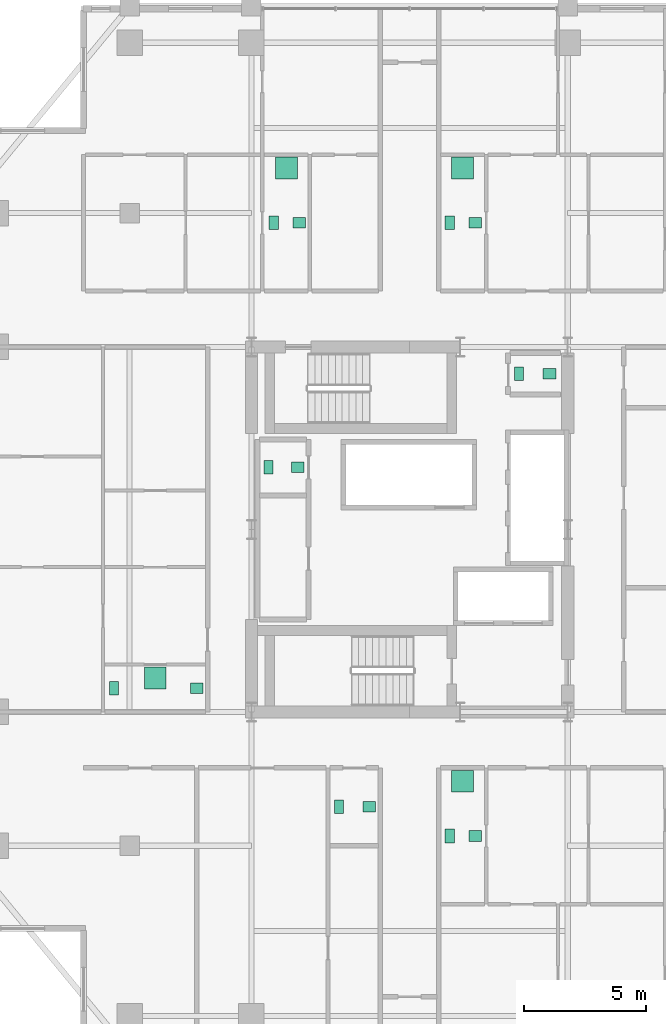
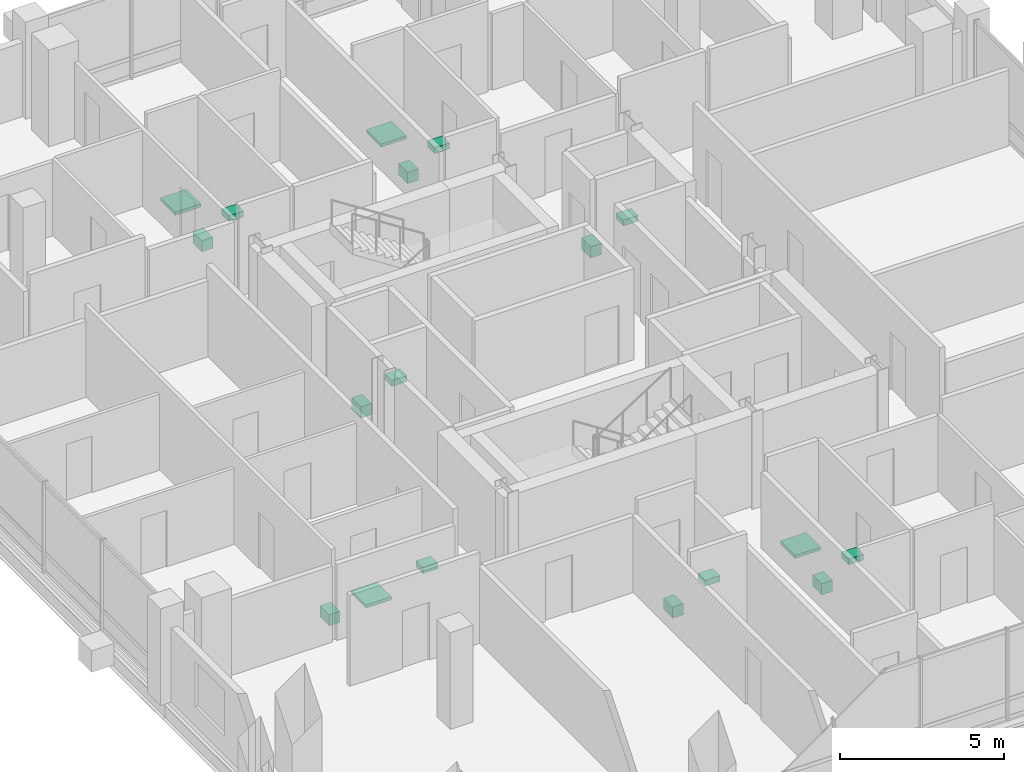
# One storey, part 24 of 24: 18 sanitary terminals.
"""IFC4 building model written with IfcOpenShell, lengths in metres."""

from ifc_helpers import new_model, si_unit, direction, frame, origin, origin_2d, place, context, subcontext, project, spatial, rectangle, extrude, material, type_object, element, save


model = new_model("IFC4")

# Units and contexts
model_context = context("Model", 3, precision=1e-05, world=origin(), true_north=direction((0.0, 1.0)))
body_context = subcontext(model_context, "Body", "Model", "MODEL_VIEW")
ifc_project = project(units=[si_unit("LENGTHUNIT", "METRE"), si_unit("AREAUNIT", "SQUARE_METRE"), si_unit("VOLUMEUNIT", "CUBIC_METRE"), si_unit("PLANEANGLEUNIT", "RADIAN"), si_unit("MASSUNIT", "GRAM", prefix="KILO")], contexts=[model_context])

# Site, building, storey
site_placement = place(None, origin())
site = spatial("IfcSite", under=ifc_project, at=site_placement, CompositionType="ELEMENT")
building_placement = place(site_placement, origin())
building = spatial("IfcBuilding", under=site, at=building_placement, Name="Barlavira Tower and Art Museum", CompositionType="ELEMENT")
storey_placement = place(building_placement, frame((0.0, 0.0, 190.800048828125)))
storey = spatial("IfcBuildingStorey", under=building, at=storey_placement, Name="L49", CompositionType="ELEMENT", Elevation=190.800048828125)

# Sanitary terminals
ifc_material = material(Name="Vitreous glazed ceramic", Category="ceramic")
sanitary_terminal_type_1 = type_object("IfcSanitaryTerminalType", Name="Countertop Ceramic Wash Hand Basin", PredefinedType="WASHHANDBASIN", material=ifc_material)
for number, where, z_axis, x_axis, name in (
    (1, (-4.60009765625, 2.550048828125, 0.73974609375), (0.0, 0.0, 1.0), (1.0, 0.0, 0.0), "L49-C-REC1W Wash Basin"),
    (2, (5.75, 6.39990234375, 0.73974609375), (0.0, 0.0, 1.0), (1.0, 0.0, 0.0), "L49-C-AWC4 Wash Basin"),
    (3, (-1.64990234375, -11.39990234375, 0.73974609375), (0.0, 0.0, 1.0), (1.0, 0.0, 0.0), "L49-SW-SWC Wash Basin"),
    (4, (2.699951171875, -12.60009765625, 0.73974609375), (0.0, 0.0, 1.0), (1.0, 0.0, 0.0), "L49-SE1-BTH1 Wash Basin"),
    (5, (-4.530029296875, 12.60009765625, 0.73974609375), (0.0, 0.0, 1.0), (1.0, 0.0, 0.0), "L49-NW1-BTH1 Wash Basin"),
    (6, (2.699951171875, 12.60009765625, 0.73974609375), (0.0, 0.0, 1.0), (1.0, 0.0, 0.0), "L49-NE1-BTH1 Wash Basin"),
    (7, (-8.75, -6.52490234375, 0.73974609375), (0.0, 0.0, 1.0), (1.0, 0.0, 0.0), "L49-W1-BTH1 Wash Basin"),
):
    element("IfcSanitaryTerminal", number, at=place(storey_placement, frame(where, z_axis=z_axis, x_axis=x_axis)), inside=storey, type_object=sanitary_terminal_type_1, Name=name, PredefinedType="WASHHANDBASIN", context=body_context, shape_type="SweptSolid", body=[
        extrude(rectangle(XDim=0.52001953125, YDim=0.43994140625, at=origin_2d()), origin(), (0.0, 0.0, 1.0), 0.219970703125),
    ])
sanitary_terminal_type_2 = type_object("IfcSanitaryTerminalType", Name="Walk-In Thermostatic Rain Shower Unit", PredefinedType="SHOWER", material=ifc_material)
for number, where, z_axis, x_axis, name in (
    (8, (2.175048828125, -10.35009765625, 0.0), (0.0, 0.0, 1.0), (1.0, 0.0, 0.0), "L49-SE1-BTH1 Rain Shower"),
    (9, (-5.054931640625, 14.85009765625, 0.0), (0.0, 0.0, 1.0), (1.0, 0.0, 0.0), "L49-NW1-BTH1 Rain Shower"),
    (10, (2.175048828125, 14.85009765625, 0.0), (0.0, 0.0, 1.0), (1.0, 0.0, 0.0), "L49-NE1-BTH1 Rain Shower"),
    (11, (-10.449951171875, -6.10009765625, 0.0), (0.0, 0.0, 1.0), (1.0, 0.0, 0.0), "L49-W1-BTH1 Rain Shower"),
):
    element("IfcSanitaryTerminal", number, at=place(storey_placement, frame(where, z_axis=z_axis, x_axis=x_axis)), inside=storey, type_object=sanitary_terminal_type_2, Name=name, PredefinedType="SHOWER", context=body_context, shape_type="SweptSolid", body=[
        extrude(rectangle(XDim=0.89990234375, YDim=0.89990234375, at=origin_2d()), origin(), (0.0, 0.0, 1.0), 0.1201171875),
    ])
sanitary_terminal_type_3 = type_object("IfcSanitaryTerminalType", Name="Wall-Hung Dual-Flush Vitreous WC Pan", PredefinedType="TOILETPAN", material=ifc_material)
for number, where, z_axis, x_axis, name in (
    (12, (-5.800048828125, 2.550048828125, 0.0), (0.0, 0.0, 1.0), (1.0, 0.0, 0.0), "L49-C-REC1W WC Pan"),
    (13, (4.5, 6.39990234375, 0.0), (0.0, 0.0, 1.0), (1.0, 0.0, 0.0), "L49-C-AWC4 WC Pan"),
    (14, (-2.89990234375, -11.39990234375, 0.0), (0.0, 0.0, 1.0), (1.0, 0.0, 0.0), "L49-SW-SWC WC Pan"),
    (15, (1.64990234375, -12.60009765625, 0.0), (0.0, 0.0, 1.0), (1.0, 0.0, 0.0), "L49-SE1-BTH1 WC Pan"),
    (16, (-5.580078125, 12.60009765625, 0.0), (0.0, 0.0, 1.0), (1.0, 0.0, 0.0), "L49-NW1-BTH1 WC Pan"),
    (17, (1.64990234375, 12.60009765625, 0.0), (0.0, 0.0, 1.0), (1.0, 0.0, 0.0), "L49-NE1-BTH1 WC Pan"),
    (18, (-12.14990234375, -6.52490234375, 0.0), (0.0, 0.0, 1.0), (1.0, 0.0, 0.0), "L49-W1-BTH1 WC Pan"),
):
    element("IfcSanitaryTerminal", number, at=place(storey_placement, frame(where, z_axis=z_axis, x_axis=x_axis)), inside=storey, type_object=sanitary_terminal_type_3, Name=name, PredefinedType="TOILETPAN", context=body_context, shape_type="SweptSolid", body=[
        extrude(rectangle(XDim=0.3798828125, YDim=0.56005859375, at=origin_2d()), origin(), (0.0, 0.0, 1.0), 0.419921875),
    ])

save(model, "model.ifc")
